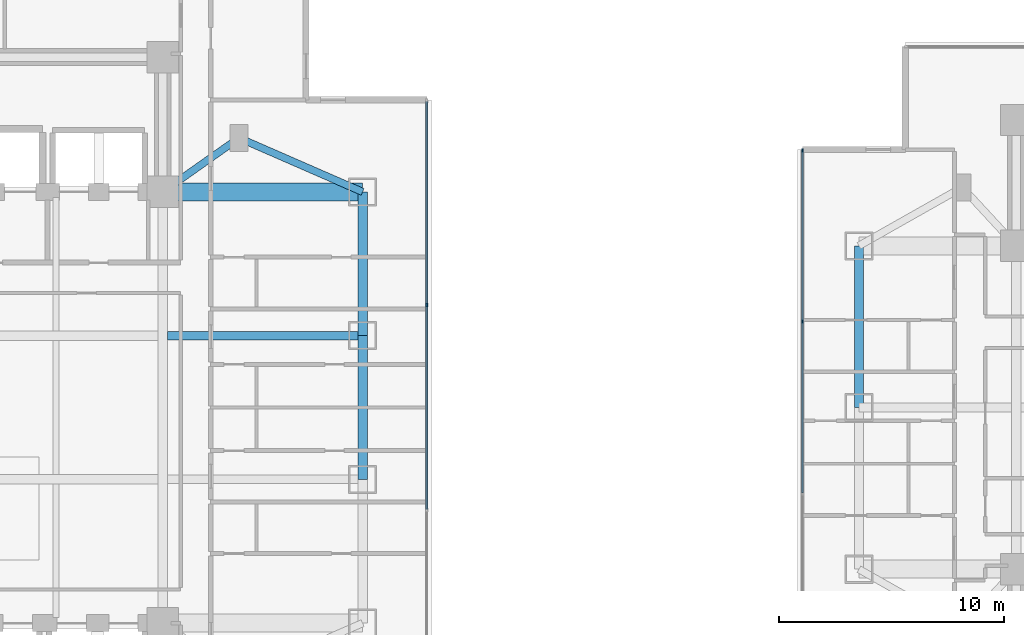
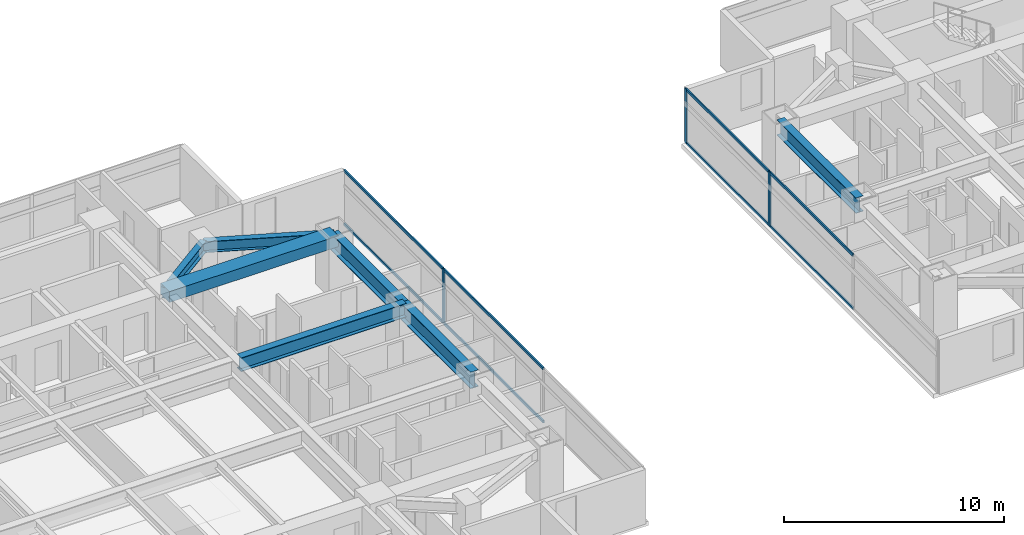
# One storey, part 5 of 26: 11 members, 7 beams, 2 elements without a shape of their own.
"""IFC4 building model written with IfcOpenShell, lengths in metres."""

from ifc_helpers import new_model, si_unit, direction, frame, origin, origin_2d, place, context, subcontext, project, spatial, rectangle, i_section, extrude, material, material_profile, profile_set, type_object, element, aggregate, save


model = new_model("IFC4")

# Units and contexts
model_context = context("Model", 3, precision=1e-05, world=origin(), true_north=direction((0.0, 1.0)))
body_context = subcontext(model_context, "Body", "Model", "MODEL_VIEW")
ifc_project = project(units=[si_unit("LENGTHUNIT", "METRE"), si_unit("AREAUNIT", "SQUARE_METRE"), si_unit("VOLUMEUNIT", "CUBIC_METRE"), si_unit("PLANEANGLEUNIT", "RADIAN"), si_unit("MASSUNIT", "GRAM", prefix="KILO")], contexts=[model_context])

# Site, building, storey
site_placement = place(None, origin())
site = spatial("IfcSite", under=ifc_project, at=site_placement, CompositionType="ELEMENT")
building_placement = place(site_placement, origin())
building = spatial("IfcBuilding", under=site, at=building_placement, Name="Mirazonda Arch Towers", CompositionType="ELEMENT")
storey_placement = place(building_placement, frame((0.0, 0.0, 25.699951171875)))
storey = spatial("IfcBuildingStorey", under=building, at=storey_placement, Name="L06", CompositionType="ELEMENT", Elevation=25.699951171875)

# Beams
ifc_material_1 = material(Name="Steel ASTM A992 Grade 50", Category="steel")
ifc_material_profile_1 = material_profile(ifc_material_1, i_section(OverallWidth=0.39990234375, OverallDepth=0.85595703125, WebThickness=0.018310546875, FlangeThickness=0.029296875, at=origin_2d()), Name="W33X201")
ifc_profile_set_1 = profile_set([ifc_material_profile_1], Name="Steel ASTM A992 Grade 50")
beam_type_1 = type_object("IfcBeamType", Name="BM-EXT-W33X201", PredefinedType="USERDEFINED", material=ifc_profile_set_1)
beam_1_placement = place(storey_placement, frame((61.0, 28.0, 2.632080078125), z_axis=(0.0, 1.0, 0.0), x_axis=(-1.0, 0.0, 0.0)))
element("IfcBeam", 1, at=beam_1_placement, inside=storey, type_object=beam_type_1, Name="L06 Floor Beam BM-T2-L06-NS-W-28", ObjectType="GIRDER", PredefinedType="USERDEFINED", context=body_context, shape_type="SweptSolid", body=[
    extrude(i_section(OverallWidth=0.39990234375, OverallDepth=0.85595703125, WebThickness=0.018310546875, FlangeThickness=0.029296875, at=origin_2d()), origin(), (0.0, 0.0, 1.0), 7.199951171875),
])
ifc_material_profile_2 = material_profile(ifc_material_1, i_section(OverallWidth=0.41796875, OverallDepth=0.927001953125, WebThickness=0.019287109375, FlangeThickness=0.031982421875, at=origin_2d()), Name="W36X231")
ifc_profile_set_2 = profile_set([ifc_material_profile_2], Name="Steel ASTM A992 Grade 50")
beam_type_2 = type_object("IfcBeamType", Name="BM-EXT-W36X231", PredefinedType="USERDEFINED", material=ifc_profile_set_2)
beam_2_placement = place(storey_placement, frame((38.89990234375, 24.800048828125, 2.596435546875), z_axis=(0.0, 1.0, 0.0), x_axis=(-1.0, 0.0, 0.0)))
element("IfcBeam", 2, at=beam_2_placement, inside=storey, type_object=beam_type_2, Name="L06 Floor Beam BM-T1-L06-NS-E-24", ObjectType="GIRDER", PredefinedType="USERDEFINED", context=body_context, shape_type="SweptSolid", body=[
    extrude(i_section(OverallWidth=0.41796875, OverallDepth=0.927001953125, WebThickness=0.019287109375, FlangeThickness=0.031982421875, at=origin_2d()), origin(), (0.0, 0.0, 1.0), 6.39990234375),
])
beam_3_placement = place(storey_placement, frame((38.89990234375, 31.199951171875, 2.596435546875), z_axis=(0.0, 1.0, 0.0), x_axis=(-1.0, 0.0, 0.0)))
element("IfcBeam", 3, at=beam_3_placement, inside=storey, type_object=beam_type_2, Name="L06 Floor Beam BM-T1-L06-NS-E-31", ObjectType="GIRDER", PredefinedType="USERDEFINED", context=body_context, shape_type="SweptSolid", body=[
    extrude(i_section(OverallWidth=0.41796875, OverallDepth=0.927001953125, WebThickness=0.019287109375, FlangeThickness=0.031982421875, at=origin_2d()), origin(), (0.0, 0.0, 1.0), 6.400146484375),
])
ifc_material_profile_3 = material_profile(ifc_material_1, i_section(OverallWidth=0.324951171875, OverallDepth=0.615966796875, WebThickness=0.013916015625, FlangeThickness=0.021484375, at=origin_2d()), Name="W24X117")
ifc_profile_set_3 = profile_set([ifc_material_profile_3], Name="Steel ASTM A992 Grade 50")
beam_type_3 = type_object("IfcBeamType", Name="BM-INT-W24X117", PredefinedType="BEAM", material=ifc_profile_set_3)
beam_4_placement = place(storey_placement, frame((33.39990234375, 40.0, 2.751953125), z_axis=(-0.816971114901, -0.576678591087, 0.0), x_axis=(0.576678591087, -0.816971114901, 0.0)))
element("IfcBeam", 4, at=beam_4_placement, inside=storey, type_object=beam_type_3, Name="L06 Floor Beam BM-T1-L06-PL-NE1", PredefinedType="BEAM", context=body_context, shape_type="SweptSolid", body=[
    extrude(i_section(OverallWidth=0.324951171875, OverallDepth=0.615966796875, WebThickness=0.013916015625, FlangeThickness=0.021484375, at=origin_2d()), origin(), (0.0, 0.0, 1.0), 4.16162109375),
])
beam_5_placement = place(storey_placement, frame((33.39990234375, 40.0, 2.751953125), z_axis=(0.916545343703, -0.399930785183, 0.0), x_axis=(0.399930785183, 0.916545343703, 0.0)))
element("IfcBeam", 5, at=beam_5_placement, inside=storey, type_object=beam_type_3, Name="L06 Floor Beam BM-T1-L06-PL-NE2", PredefinedType="BEAM", context=body_context, shape_type="SweptSolid", body=[
    extrude(i_section(OverallWidth=0.324951171875, OverallDepth=0.615966796875, WebThickness=0.013916015625, FlangeThickness=0.021484375, at=origin_2d()), origin(), (0.0, 0.0, 1.0), 6.000732421875),
])
ifc_material_profile_4 = material_profile(ifc_material_1, i_section(OverallWidth=0.381103515625, OverallDepth=0.77294921875, WebThickness=0.0166015625, FlangeThickness=0.027099609375, at=origin_2d()), Name="W30X173")
ifc_profile_set_4 = profile_set([ifc_material_profile_4], Name="Steel ASTM A992 Grade 50")
beam_type_4 = type_object("IfcBeamType", Name="BM-INT-W30X173", PredefinedType="USERDEFINED", material=ifc_profile_set_4)
beam_6_placement = place(storey_placement, frame((30.21142578125, 31.199951171875, 2.673583984375), z_axis=(1.0, 0.0, 0.0), x_axis=(0.0, 1.0, 0.0)))
element("IfcBeam", 6, at=beam_6_placement, inside=storey, type_object=beam_type_4, Name="L06 Floor Beam BM-T1-L06-GE3", ObjectType="GIRDER", PredefinedType="USERDEFINED", context=body_context, shape_type="SweptSolid", body=[
    extrude(i_section(OverallWidth=0.381103515625, OverallDepth=0.77294921875, WebThickness=0.0166015625, FlangeThickness=0.027099609375, at=origin_2d()), origin(), (0.0, 0.0, 1.0), 8.6884765625),
])
ifc_material_2 = material(Name="Concrete C60/75", Category="concrete")
ifc_material_profile_5 = material_profile(ifc_material_2, rectangle(XDim=0.800048828125, YDim=0.60009765625, at=origin_2d()), Name="RCCB800x600")
ifc_profile_set_5 = profile_set([ifc_material_profile_5], Name="Concrete C60/75")
beam_type_5 = type_object("IfcBeamType", Name="CB-INT-RCCB800x600", PredefinedType="SPANDREL", material=ifc_profile_set_5)
beam_7_placement = place(storey_placement, frame((30.0, 37.60009765625, 2.760009765625), z_axis=(1.0, 0.0, 0.0), x_axis=(0.0, 1.0, 0.0)))
element("IfcBeam", 7, at=beam_7_placement, inside=storey, type_object=beam_type_5, Name="L06 Floor Beam CBC-T1-L06-NE", PredefinedType="SPANDREL", context=body_context, shape_type="SweptSolid", body=[
    extrude(rectangle(XDim=0.800048828125, YDim=0.60009765625, at=origin_2d()), origin(), (0.0, 0.0, 1.0), 8.89990234375),
])

# Curtain wall, member
ifc_material_3 = material(Name="Anodised Aluminium and Low-E Glass", Category="aluminium")
curtain_wall_type = type_object("IfcCurtainWallType", Name="CW-HTL-UNIT", PredefinedType="NOTDEFINED", material=ifc_material_3)
curtain_wall_1_placement = place(storey_placement, origin())
curtain_wall_1 = element("IfcCurtainWall", 8, at=curtain_wall_1_placement, inside=storey, type_object=curtain_wall_type, Name="L06 T1 E Facade CW-L06-T1-E", PredefinedType="NOTDEFINED")
ifc_material_4 = material(Name="Anodised Aluminium Alloy", Category="aluminium")
ifc_material_profile_6 = material_profile(ifc_material_4, rectangle(XDim=0.074951171875, YDim=0.1650390625, at=origin_2d()), Name="ALU-MULL-75x165")
ifc_profile_set_6 = profile_set([ifc_material_profile_6], Name="Anodised Aluminium Alloy")
member_type_1 = type_object("IfcMemberType", Name="MULL-CW-HTL-UNIT", PredefinedType="MULLION", material=ifc_profile_set_6)
member_1_placement = place(storey_placement, frame((41.760009765625, 32.56591796875, 0.0), z_axis=(0.0, 0.0, 1.0), x_axis=(-1.0, 0.0, 0.0)))
member_1 = element("IfcMember", 9, at=member_1_placement, type_object=member_type_1, Name="CW-112 mullion 3", PredefinedType="MULLION", context=body_context, shape_type="SweptSolid", body=[
    extrude(rectangle(XDim=0.074951171875, YDim=0.1650390625, at=origin_2d()), origin(), (0.0, 0.0, 1.0), 3.0400390625),
])

# Curtain wall, members
curtain_wall_2_placement = place(storey_placement, origin())
curtain_wall_2 = element("IfcCurtainWall", 10, at=curtain_wall_2_placement, inside=storey, type_object=curtain_wall_type, Name="L06 T2 W Facade CW-L06-T2-W", PredefinedType="NOTDEFINED")
member_2_placement = place(storey_placement, frame((58.48193359375, 39.44580078125, 0.0), z_axis=(0.0, 0.0, 1.0), x_axis=(1.0, 0.0, 0.0)))
member_2 = element("IfcMember", 11, at=member_2_placement, type_object=member_type_1, Name="CW-112 mullion 1", PredefinedType="MULLION", context=body_context, shape_type="SweptSolid", body=[
    extrude(rectangle(XDim=0.074951171875, YDim=0.1650390625, at=origin_2d()), origin(), (0.0, 0.0, 1.0), 3.0400390625),
])
member_3_placement = place(storey_placement, frame((58.48193359375, 31.827880859375, 0.0), z_axis=(0.0, 0.0, 1.0), x_axis=(1.0, 0.0, 0.0)))
member_3 = element("IfcMember", 12, at=member_3_placement, type_object=member_type_1, Name="CW-112 mullion 2", PredefinedType="MULLION", context=body_context, shape_type="SweptSolid", body=[
    extrude(rectangle(XDim=0.074951171875, YDim=0.1650390625, at=origin_2d()), origin(), (0.0, 0.0, 1.0), 3.0400390625),
])

# Member
ifc_material_profile_7 = material_profile(ifc_material_4, rectangle(XDim=0.074951171875, YDim=0.14501953125, at=origin_2d()), Name="ALU-TRAN-75x145")
ifc_profile_set_7 = profile_set([ifc_material_profile_7], Name="Anodised Aluminium Alloy")
member_type_2 = type_object("IfcMemberType", Name="TRAN-CW-HTL-UNIT", PredefinedType="USERDEFINED", material=ifc_profile_set_7)
member_4_placement = place(storey_placement, frame((41.760009765625, 23.471435546875, 0.03759765625), z_axis=(0.0, 1.0, 0.0), x_axis=(-1.0, 0.0, 0.0)))
member_4 = element("IfcMember", 13, at=member_4_placement, type_object=member_type_2, Name="CW-112 transom 2.1", ObjectType="TRANSOM", PredefinedType="USERDEFINED", context=body_context, shape_type="SweptSolid", body=[
    extrude(rectangle(XDim=0.074951171875, YDim=0.14501953125, at=origin_2d()), origin(), (0.0, 0.0, 1.0), 9.05712890625),
])

member_5_placement = place(storey_placement, frame((41.760009765625, 23.471435546875, 3.00244140625), z_axis=(0.0, 1.0, 0.0), x_axis=(-1.0, 0.0, 0.0)))
member_5 = element("IfcMember", 14, at=member_5_placement, type_object=member_type_2, Name="CW-112 transom 2.2", ObjectType="TRANSOM", PredefinedType="USERDEFINED", context=body_context, shape_type="SweptSolid", body=[
    extrude(rectangle(XDim=0.074951171875, YDim=0.14501953125, at=origin_2d()), origin(), (0.0, 0.0, 1.0), 9.05712890625),
])

member_6_placement = place(storey_placement, frame((41.760009765625, 32.603515625, 0.03759765625), z_axis=(0.0, 1.0, 0.0), x_axis=(-1.0, 0.0, 0.0)))
member_6 = element("IfcMember", 15, at=member_6_placement, type_object=member_type_2, Name="CW-112 transom 3.1", ObjectType="TRANSOM", PredefinedType="USERDEFINED", context=body_context, shape_type="SweptSolid", body=[
    extrude(rectangle(XDim=0.074951171875, YDim=0.14501953125, at=origin_2d()), origin(), (0.0, 0.0, 1.0), 9.01953125),
])

member_7_placement = place(storey_placement, frame((41.760009765625, 32.603515625, 3.00244140625), z_axis=(0.0, 1.0, 0.0), x_axis=(-1.0, 0.0, 0.0)))
member_7 = element("IfcMember", 16, at=member_7_placement, type_object=member_type_2, Name="CW-112 transom 3.2", ObjectType="TRANSOM", PredefinedType="USERDEFINED", context=body_context, shape_type="SweptSolid", body=[
    extrude(rectangle(XDim=0.074951171875, YDim=0.14501953125, at=origin_2d()), origin(), (0.0, 0.0, 1.0), 9.01953125),
])

aggregate(curtain_wall_1, [member_1, member_4, member_5, member_6, member_7])

member_8_placement = place(storey_placement, frame((58.48193359375, 39.408203125, 0.03759765625), z_axis=(0.0, -1.0, 0.0), x_axis=(1.0, 0.0, 0.0)))
member_8 = element("IfcMember", 17, at=member_8_placement, type_object=member_type_2, Name="CW-112 transom 1.1", ObjectType="TRANSOM", PredefinedType="USERDEFINED", context=body_context, shape_type="SweptSolid", body=[
    extrude(rectangle(XDim=0.074951171875, YDim=0.14501953125, at=origin_2d()), origin(), (0.0, 0.0, 1.0), 7.54296875),
])

member_9_placement = place(storey_placement, frame((58.48193359375, 39.408203125, 3.00244140625), z_axis=(0.0, -1.0, 0.0), x_axis=(1.0, 0.0, 0.0)))
member_9 = element("IfcMember", 18, at=member_9_placement, type_object=member_type_2, Name="CW-112 transom 1.2", ObjectType="TRANSOM", PredefinedType="USERDEFINED", context=body_context, shape_type="SweptSolid", body=[
    extrude(rectangle(XDim=0.074951171875, YDim=0.14501953125, at=origin_2d()), origin(), (0.0, 0.0, 1.0), 7.54296875),
])

member_10_placement = place(storey_placement, frame((58.48193359375, 31.790283203125, 0.03759765625), z_axis=(0.0, -1.0, 0.0), x_axis=(1.0, 0.0, 0.0)))
member_10 = element("IfcMember", 19, at=member_10_placement, type_object=member_type_2, Name="CW-112 transom 2.1", ObjectType="TRANSOM", PredefinedType="USERDEFINED", context=body_context, shape_type="SweptSolid", body=[
    extrude(rectangle(XDim=0.074951171875, YDim=0.14501953125, at=origin_2d()), origin(), (0.0, 0.0, 1.0), 7.58056640625),
])

member_11_placement = place(storey_placement, frame((58.48193359375, 31.790283203125, 3.00244140625), z_axis=(0.0, -1.0, 0.0), x_axis=(1.0, 0.0, 0.0)))
member_11 = element("IfcMember", 20, at=member_11_placement, type_object=member_type_2, Name="CW-112 transom 2.2", ObjectType="TRANSOM", PredefinedType="USERDEFINED", context=body_context, shape_type="SweptSolid", body=[
    extrude(rectangle(XDim=0.074951171875, YDim=0.14501953125, at=origin_2d()), origin(), (0.0, 0.0, 1.0), 7.58056640625),
])

aggregate(curtain_wall_2, [member_2, member_3, member_8, member_9, member_10, member_11])

save(model, "model.ifc")
